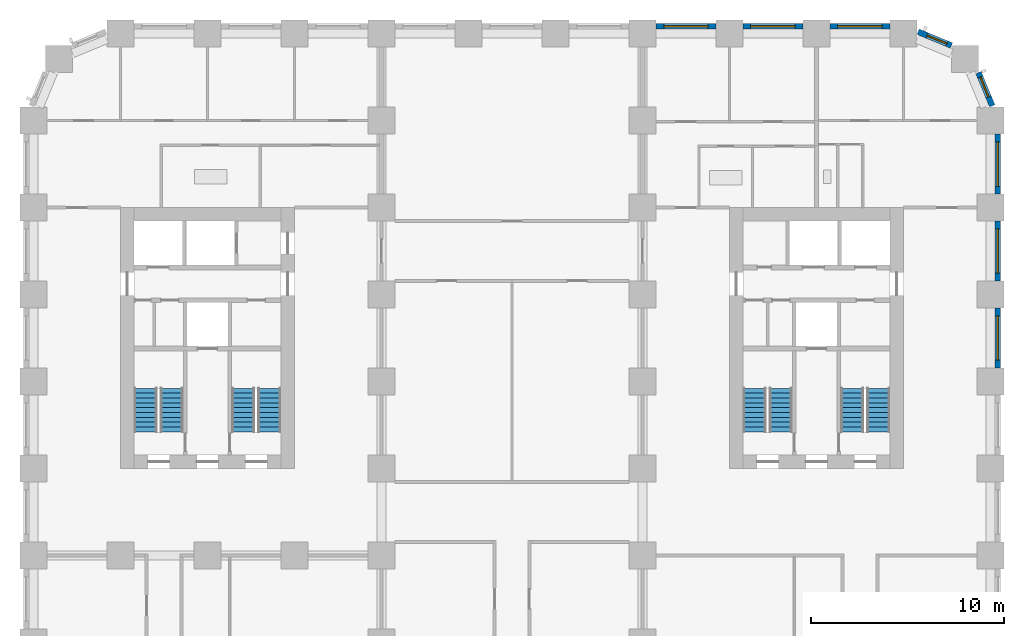
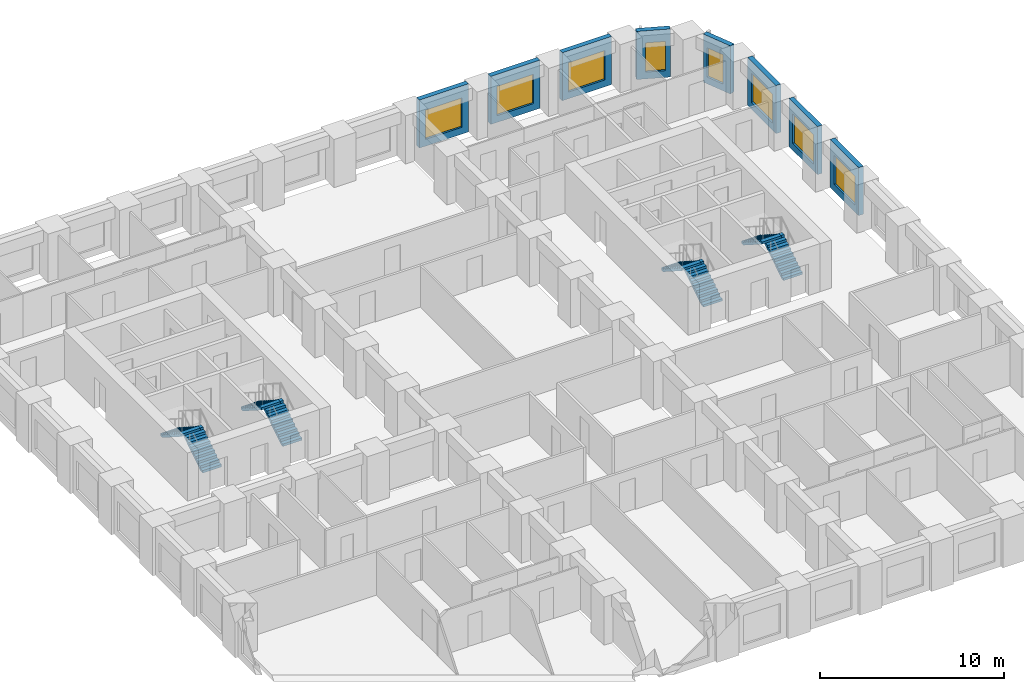
# One storey, part 9 of 12: 8 stair flights, 8 walls, 8 windows, 8 openings, 4 elements without a shape of their own.
"""IFC4 building model written with IfcOpenShell, lengths in metres."""

from ifc_helpers import new_model, si_unit, direction, frame, frame_2d, origin, place, context, subcontext, project, spatial, polyline, rectangle, outline, extrude, material, layer, layer_set, type_object, element, fill, aggregate, save


model = new_model("IFC4")

# Units and contexts
model_context = context("Model", 3, precision=1e-05, world=origin(), true_north=direction((0.0, 1.0)))
body_context = subcontext(model_context, "Body", "Model", "MODEL_VIEW")
ifc_project = project(units=[si_unit("LENGTHUNIT", "METRE"), si_unit("AREAUNIT", "SQUARE_METRE"), si_unit("VOLUMEUNIT", "CUBIC_METRE"), si_unit("PLANEANGLEUNIT", "RADIAN"), si_unit("MASSUNIT", "GRAM", prefix="KILO")], contexts=[model_context])

# Site, building, storey
site_placement = place(None, origin())
site = spatial("IfcSite", under=ifc_project, at=site_placement, CompositionType="ELEMENT")
building_placement = place(site_placement, origin())
building = spatial("IfcBuilding", under=site, at=building_placement, Name="Girih Gate Residences", CompositionType="ELEMENT")
storey_placement = place(building_placement, frame((0.0, 0.0, 33.60009765625)))
storey = spatial("IfcBuildingStorey", under=building, at=storey_placement, Name="L07", CompositionType="ELEMENT", Elevation=33.60009765625)

# Wall, opening, window
ifc_material_1 = material(Name="Precast concrete C50/60", Category="concrete")
ifc_layer_1 = layer(ifc_material_1, 0.080078125, Name="Outer leaf")
ifc_material_2 = material(Name="Rigid PIR insulation")
ifc_layer_2 = layer(ifc_material_2, 0.14990234375, Name="Insulation")
ifc_material_3 = material(Name="Precast concrete C40/50", Category="concrete")
ifc_layer_3 = layer(ifc_material_3, 0.070068359375, Name="Inner leaf")
ifc_layer_set = layer_set([ifc_layer_1, ifc_layer_2, ifc_layer_3], Name="Precast concrete C50/60 external wall 300")
wall_type = type_object("IfcWallType", Name="Precast concrete C50/60 external wall 300", PredefinedType="SOLIDWALL", material=ifc_layer_set)
wall_1_placement = place(storey_placement, frame((49.875, 35.300048828125, 0.0), z_axis=(0.0, 0.0, 1.0), x_axis=(0.0, -1.0, 0.0)))
wall_1 = element("IfcWall", 1, at=wall_1_placement, inside=storey, type_object=wall_type, Name="External wall E0495_0045.6", PredefinedType="SOLIDWALL", context=body_context, shape_type="SweptSolid", body=[
    extrude(rectangle(XDim=3.10009765625, YDim=0.300048828125, at=frame_2d((1.550048828125, 0.0))), origin(), (0.0, 0.0, 1.0), 3.199951171875),
])
opening_1_placement = place(wall_1_placement, frame((0.39990234375, 0.0, 0.449951171875)))
opening_1 = element("IfcOpeningElement", 2, at=opening_1_placement, cuts=wall_1, Name="Opening W-1", PredefinedType="OPENING", context=body_context, shape_type="SweptSolid", body=[
    extrude(rectangle(XDim=2.300048828125, YDim=1.949951171875, at=frame_2d((1.14990234375, 0.97509765625))), frame((0.0, 0.159912109375, 0.0), z_axis=(0.0, -1.0, 0.0), x_axis=(1.0, 0.0, 0.0)), (0.0, 0.0, 1.0), 0.320068359375),
])
ifc_material_4 = material(Name="Double glazing in aluminium frame", Category="aluminium")
window_type_1 = type_object("IfcWindowType", Name="Window W-1 2300x1950", PartitioningType="SINGLE_PANEL", PredefinedType="WINDOW", material=ifc_material_4)
window_1_placement = place(opening_1_placement, origin())
window_1 = element("IfcWindow", 3, at=window_1_placement, inside=storey, type_object=window_type_1, Name="Window W-1 E0495_0045.6", OverallHeight=1.949951171875, OverallWidth=2.300048828125, PartitioningType="SINGLE_PANEL", PredefinedType="WINDOW", context=body_context, shape_type="SweptSolid", body=[
    extrude(rectangle(XDim=2.300048828125, YDim=1.949951171875, at=frame_2d((1.14990234375, 0.97509765625))), frame((0.0, 0.030029296875, 0.0), z_axis=(0.0, -1.0, 0.0), x_axis=(1.0, 0.0, 0.0)), (0.0, 0.0, 1.0), 0.06005859375),
])
fill(opening_1, window_1)

wall_2_placement = place(storey_placement, frame((49.875, 39.800048828125, 0.0), z_axis=(0.0, 0.0, 1.0), x_axis=(0.0, -1.0, 0.0)))
wall_2 = element("IfcWall", 4, at=wall_2_placement, inside=storey, type_object=wall_type, Name="External wall E0495_0045.7", PredefinedType="SOLIDWALL", context=body_context, shape_type="SweptSolid", body=[
    extrude(rectangle(XDim=3.10009765625, YDim=0.300048828125, at=frame_2d((1.550048828125, 0.0))), origin(), (0.0, 0.0, 1.0), 3.199951171875),
])
opening_2_placement = place(wall_2_placement, frame((0.39990234375, 0.0, 0.449951171875)))
opening_2 = element("IfcOpeningElement", 5, at=opening_2_placement, cuts=wall_2, Name="Opening W-1", PredefinedType="OPENING", context=body_context, shape_type="SweptSolid", body=[
    extrude(rectangle(XDim=2.300048828125, YDim=1.949951171875, at=frame_2d((1.14990234375, 0.97509765625))), frame((0.0, 0.159912109375, 0.0), z_axis=(0.0, -1.0, 0.0), x_axis=(1.0, 0.0, 0.0)), (0.0, 0.0, 1.0), 0.320068359375),
])
window_2_placement = place(opening_2_placement, origin())
window_2 = element("IfcWindow", 6, at=window_2_placement, inside=storey, type_object=window_type_1, Name="Window W-1 E0495_0045.7", OverallHeight=1.949951171875, OverallWidth=2.300048828125, PartitioningType="SINGLE_PANEL", PredefinedType="WINDOW", context=body_context, shape_type="SweptSolid", body=[
    extrude(rectangle(XDim=2.300048828125, YDim=1.949951171875, at=frame_2d((1.14990234375, 0.97509765625))), frame((0.0, 0.030029296875, 0.0), z_axis=(0.0, -1.0, 0.0), x_axis=(1.0, 0.0, 0.0)), (0.0, 0.0, 1.0), 0.06005859375),
])
fill(opening_2, window_2)

wall_3_placement = place(storey_placement, frame((49.875, 44.300048828125, 0.0), z_axis=(0.0, 0.0, 1.0), x_axis=(0.0, -1.0, 0.0)))
wall_3 = element("IfcWall", 7, at=wall_3_placement, inside=storey, type_object=wall_type, Name="External wall E0495_0045.8", PredefinedType="SOLIDWALL", context=body_context, shape_type="SweptSolid", body=[
    extrude(rectangle(XDim=3.10009765625, YDim=0.300048828125, at=frame_2d((1.550048828125, 0.0))), origin(), (0.0, 0.0, 1.0), 3.199951171875),
])
opening_3_placement = place(wall_3_placement, frame((0.39990234375, 0.0, 0.449951171875)))
opening_3 = element("IfcOpeningElement", 8, at=opening_3_placement, cuts=wall_3, Name="Opening W-1", PredefinedType="OPENING", context=body_context, shape_type="SweptSolid", body=[
    extrude(rectangle(XDim=2.300048828125, YDim=1.949951171875, at=frame_2d((1.14990234375, 0.97509765625))), frame((0.0, 0.159912109375, 0.0), z_axis=(0.0, -1.0, 0.0), x_axis=(1.0, 0.0, 0.0)), (0.0, 0.0, 1.0), 0.320068359375),
])
window_3_placement = place(opening_3_placement, origin())
window_3 = element("IfcWindow", 9, at=window_3_placement, inside=storey, type_object=window_type_1, Name="Window W-1 E0495_0045.8", OverallHeight=1.949951171875, OverallWidth=2.300048828125, PartitioningType="SINGLE_PANEL", PredefinedType="WINDOW", context=body_context, shape_type="SweptSolid", body=[
    extrude(rectangle(XDim=2.300048828125, YDim=1.949951171875, at=frame_2d((1.14990234375, 0.97509765625))), frame((0.0, 0.030029296875, 0.0), z_axis=(0.0, -1.0, 0.0), x_axis=(1.0, 0.0, 0.0)), (0.0, 0.0, 1.0), 0.06005859375),
])
fill(opening_3, window_3)

wall_4_placement = place(storey_placement, frame((48.87841796875, 47.48046875, 0.0), z_axis=(0.0, 0.0, 1.0), x_axis=(0.38262540684, -0.923903565336, 0.0)))
wall_4 = element("IfcWall", 10, at=wall_4_placement, inside=storey, type_object=wall_type, Name="External wall NE0495_0450.0", PredefinedType="SOLIDWALL", context=body_context, shape_type="SweptSolid", body=[
    extrude(rectangle(XDim=1.864990234375, YDim=0.300048828125, at=frame_2d((0.9326171875, 0.0))), origin(), (0.0, 0.0, 1.0), 3.199951171875),
])
opening_4_placement = place(wall_4_placement, frame((0.257568359375, 0.0, 0.449951171875)))
opening_4 = element("IfcOpeningElement", 11, at=opening_4_placement, cuts=wall_4, Name="Opening W-2C", PredefinedType="OPENING", context=body_context, shape_type="SweptSolid", body=[
    extrude(rectangle(XDim=1.10009765625, YDim=1.949951171875, at=frame_2d((0.550048828125, 0.97509765625))), frame((0.0, 0.159912109375, 0.0), z_axis=(0.0, -1.0, 0.0), x_axis=(1.0, 0.0, 0.0)), (0.0, 0.0, 1.0), 0.320068359375),
])
window_type_2 = type_object("IfcWindowType", Name="Window W-2C 1100x1950", PartitioningType="SINGLE_PANEL", PredefinedType="WINDOW", material=ifc_material_4)
window_4_placement = place(opening_4_placement, origin())
window_4 = element("IfcWindow", 12, at=window_4_placement, inside=storey, type_object=window_type_2, Name="Window W-2C NE0495_0450.0", OverallHeight=1.949951171875, OverallWidth=1.10009765625, PartitioningType="SINGLE_PANEL", PredefinedType="WINDOW", context=body_context, shape_type="SweptSolid", body=[
    extrude(rectangle(XDim=1.10009765625, YDim=1.949951171875, at=frame_2d((0.550048828125, 0.97509765625))), frame((0.0, 0.030029296875, 0.0), z_axis=(0.0, -1.0, 0.0), x_axis=(1.0, 0.0, 0.0)), (0.0, 0.0, 1.0), 0.06005859375),
])
fill(opening_4, window_4)

wall_5_placement = place(storey_placement, frame((45.75732421875, 49.59228515625, 0.0), z_axis=(0.0, 0.0, 1.0), x_axis=(0.923857286003, -0.382737135771, 0.0)))
wall_5 = element("IfcWall", 13, at=wall_5_placement, inside=storey, type_object=wall_type, Name="External wall NE0482_0482.0", PredefinedType="SOLIDWALL", context=body_context, shape_type="SweptSolid", body=[
    extrude(rectangle(XDim=1.865234375, YDim=0.300048828125, at=frame_2d((0.9326171875, 0.0))), origin(), (0.0, 0.0, 1.0), 3.199951171875),
])
opening_5_placement = place(wall_5_placement, frame((0.507568359375, 0.0, 0.449951171875)))
opening_5 = element("IfcOpeningElement", 14, at=opening_5_placement, cuts=wall_5, Name="Opening W-2C", PredefinedType="OPENING", context=body_context, shape_type="SweptSolid", body=[
    extrude(rectangle(XDim=1.10009765625, YDim=1.949951171875, at=frame_2d((0.550048828125, 0.97509765625))), frame((0.0, 0.159912109375, 0.0), z_axis=(0.0, -1.0, 0.0), x_axis=(1.0, 0.0, 0.0)), (0.0, 0.0, 1.0), 0.320068359375),
])
window_5_placement = place(opening_5_placement, origin())
window_5 = element("IfcWindow", 15, at=window_5_placement, inside=storey, type_object=window_type_2, Name="Window W-2C NE0482_0482.0", OverallHeight=1.949951171875, OverallWidth=1.10009765625, PartitioningType="SINGLE_PANEL", PredefinedType="WINDOW", context=body_context, shape_type="SweptSolid", body=[
    extrude(rectangle(XDim=1.10009765625, YDim=1.949951171875, at=frame_2d((0.550048828125, 0.97509765625))), frame((0.0, 0.030029296875, 0.0), z_axis=(0.0, -1.0, 0.0), x_axis=(1.0, 0.0, 0.0)), (0.0, 0.0, 1.0), 0.06005859375),
])
fill(opening_5, window_5)

wall_6_placement = place(storey_placement, frame((41.199951171875, 49.875, 0.0), z_axis=(0.0, 0.0, 1.0), x_axis=(1.0, 0.0, 0.0)))
wall_6 = element("IfcWall", 16, at=wall_6_placement, inside=storey, type_object=wall_type, Name="External wall N0450_0495.0", PredefinedType="SOLIDWALL", context=body_context, shape_type="SweptSolid", body=[
    extrude(rectangle(XDim=3.10009765625, YDim=0.300048828125, at=frame_2d((1.550048828125, 0.0))), origin(), (0.0, 0.0, 1.0), 3.199951171875),
])
opening_6_placement = place(wall_6_placement, frame((0.39990234375, 0.0, 0.449951171875)))
opening_6 = element("IfcOpeningElement", 17, at=opening_6_placement, cuts=wall_6, Name="Opening W-1", PredefinedType="OPENING", context=body_context, shape_type="SweptSolid", body=[
    extrude(rectangle(XDim=2.300048828125, YDim=1.949951171875, at=frame_2d((1.14990234375, 0.97509765625))), frame((0.0, 0.159912109375, 0.0), z_axis=(0.0, -1.0, 0.0), x_axis=(1.0, 0.0, 0.0)), (0.0, 0.0, 1.0), 0.320068359375),
])
window_6_placement = place(opening_6_placement, origin())
window_6 = element("IfcWindow", 18, at=window_6_placement, inside=storey, type_object=window_type_1, Name="Window W-1 N0450_0495.0", OverallHeight=1.949951171875, OverallWidth=2.300048828125, PartitioningType="SINGLE_PANEL", PredefinedType="WINDOW", context=body_context, shape_type="SweptSolid", body=[
    extrude(rectangle(XDim=2.300048828125, YDim=1.949951171875, at=frame_2d((1.14990234375, 0.97509765625))), frame((0.0, 0.030029296875, 0.0), z_axis=(0.0, -1.0, 0.0), x_axis=(1.0, 0.0, 0.0)), (0.0, 0.0, 1.0), 0.06005859375),
])
fill(opening_6, window_6)

wall_7_placement = place(storey_placement, frame((36.699951171875, 49.875, 0.0), z_axis=(0.0, 0.0, 1.0), x_axis=(1.0, 0.0, 0.0)))
wall_7 = element("IfcWall", 19, at=wall_7_placement, inside=storey, type_object=wall_type, Name="External wall N0450_0495.1", PredefinedType="SOLIDWALL", context=body_context, shape_type="SweptSolid", body=[
    extrude(rectangle(XDim=3.10009765625, YDim=0.300048828125, at=frame_2d((1.550048828125, 0.0))), origin(), (0.0, 0.0, 1.0), 3.199951171875),
])
opening_7_placement = place(wall_7_placement, frame((0.39990234375, 0.0, 0.449951171875)))
opening_7 = element("IfcOpeningElement", 20, at=opening_7_placement, cuts=wall_7, Name="Opening W-1", PredefinedType="OPENING", context=body_context, shape_type="SweptSolid", body=[
    extrude(rectangle(XDim=2.300048828125, YDim=1.949951171875, at=frame_2d((1.14990234375, 0.97509765625))), frame((0.0, 0.159912109375, 0.0), z_axis=(0.0, -1.0, 0.0), x_axis=(1.0, 0.0, 0.0)), (0.0, 0.0, 1.0), 0.320068359375),
])
window_7_placement = place(opening_7_placement, origin())
window_7 = element("IfcWindow", 21, at=window_7_placement, inside=storey, type_object=window_type_1, Name="Window W-1 N0450_0495.1", OverallHeight=1.949951171875, OverallWidth=2.300048828125, PartitioningType="SINGLE_PANEL", PredefinedType="WINDOW", context=body_context, shape_type="SweptSolid", body=[
    extrude(rectangle(XDim=2.300048828125, YDim=1.949951171875, at=frame_2d((1.14990234375, 0.97509765625))), frame((0.0, 0.030029296875, 0.0), z_axis=(0.0, -1.0, 0.0), x_axis=(1.0, 0.0, 0.0)), (0.0, 0.0, 1.0), 0.06005859375),
])
fill(opening_7, window_7)

wall_8_placement = place(storey_placement, frame((32.199951171875, 49.875, 0.0), z_axis=(0.0, 0.0, 1.0), x_axis=(1.0, 0.0, 0.0)))
wall_8 = element("IfcWall", 22, at=wall_8_placement, inside=storey, type_object=wall_type, Name="External wall N0450_0495.2", PredefinedType="SOLIDWALL", context=body_context, shape_type="SweptSolid", body=[
    extrude(rectangle(XDim=3.10009765625, YDim=0.300048828125, at=frame_2d((1.550048828125, 0.0))), origin(), (0.0, 0.0, 1.0), 3.199951171875),
])
opening_8_placement = place(wall_8_placement, frame((0.39990234375, 0.0, 0.449951171875)))
opening_8 = element("IfcOpeningElement", 23, at=opening_8_placement, cuts=wall_8, Name="Opening W-1", PredefinedType="OPENING", context=body_context, shape_type="SweptSolid", body=[
    extrude(rectangle(XDim=2.300048828125, YDim=1.949951171875, at=frame_2d((1.14990234375, 0.97509765625))), frame((0.0, 0.159912109375, 0.0), z_axis=(0.0, -1.0, 0.0), x_axis=(1.0, 0.0, 0.0)), (0.0, 0.0, 1.0), 0.320068359375),
])
window_8_placement = place(opening_8_placement, origin())
window_8 = element("IfcWindow", 24, at=window_8_placement, inside=storey, type_object=window_type_1, Name="Window W-1 N0450_0495.2", OverallHeight=1.949951171875, OverallWidth=2.300048828125, PartitioningType="SINGLE_PANEL", PredefinedType="WINDOW", context=body_context, shape_type="SweptSolid", body=[
    extrude(rectangle(XDim=2.300048828125, YDim=1.949951171875, at=frame_2d((1.14990234375, 0.97509765625))), frame((0.0, 0.030029296875, 0.0), z_axis=(0.0, -1.0, 0.0), x_axis=(1.0, 0.0, 0.0)), (0.0, 0.0, 1.0), 0.06005859375),
])
fill(opening_8, window_8)

# Stair, stair flights
ifc_material_5 = material(Name="Concrete C40/50", Category="concrete")
stair_type = type_object("IfcStairType", Name="Exit stair", PredefinedType="HALF_TURN_STAIR", material=ifc_material_5)
stair_1_placement = place(storey_placement, origin())
stair_1 = element("IfcStair", 25, at=stair_1_placement, inside=storey, type_object=stair_type, Name="L07 Exit Stair ST-W1", PredefinedType="HALF_TURN_STAIR")
stair_flight_type = type_object("IfcStairFlightType", Name="Stair flight 1200", PredefinedType="STRAIGHT", material=ifc_material_5)
stair_flight_1_placement = place(storey_placement, frame((7.14990234375, 28.89990234375, 0.0), z_axis=(0.0, 0.0, 1.0), x_axis=(0.0, 1.0, 0.0)))
stair_flight_1 = element("IfcStairFlight", 26, at=stair_flight_1_placement, type_object=stair_flight_type, Name="ST-W1 flight 1", NumberOfRisers=10, NumberOfTreads=9, PredefinedType="STRAIGHT", RiserHeight=0.16, TreadLength=0.25, context=body_context, shape_type="SweptSolid", body=[
    extrude(outline(polyline([(0.0, 0.0), (0.0, 0.159912109375), (0.25, 0.159912109375), (0.25, 0.320068359375), (0.5, 0.320068359375), (0.5, 0.47998046875), (0.75, 0.47998046875), (0.75, 0.639892578125), (1.0, 0.639892578125), (1.0, 0.800048828125), (1.25, 0.800048828125), (1.25, 0.9599609375), (1.5, 0.9599609375), (1.5, 1.1201171875), (1.75, 1.1201171875), (1.75, 1.280029296875), (2.0, 1.280029296875), (2.0, 1.43994140625), (2.25, 1.43994140625), (2.25, 1.60009765625), (2.25, 1.29736328125), (0.222900390625, 0.0), (0.0, 0.0)])), frame((0.0, 0.60009765625, 0.0), z_axis=(0.0, -1.0, 0.0), x_axis=(1.0, 0.0, 0.0)), (0.0, 0.0, 1.0), 1.199951171875),
])
stair_flight_2_placement = place(storey_placement, frame((5.800048828125, 31.14990234375, 1.599853515625), z_axis=(0.0, 0.0, 1.0), x_axis=(0.0, -1.0, 0.0)))
stair_flight_2 = element("IfcStairFlight", 27, at=stair_flight_2_placement, type_object=stair_flight_type, Name="ST-W1 flight 2", NumberOfRisers=10, NumberOfTreads=9, PredefinedType="STRAIGHT", RiserHeight=0.16, TreadLength=0.25, context=body_context, shape_type="SweptSolid", body=[
    extrude(outline(polyline([(0.0, 0.0), (0.0, 0.159912109375), (0.25, 0.159912109375), (0.25, 0.320068359375), (0.5, 0.320068359375), (0.5, 0.47998046875), (0.75, 0.47998046875), (0.75, 0.639892578125), (1.0, 0.639892578125), (1.0, 0.800048828125), (1.25, 0.800048828125), (1.25, 0.9599609375), (1.5, 0.9599609375), (1.5, 1.1201171875), (1.75, 1.1201171875), (1.75, 1.280029296875), (2.0, 1.280029296875), (2.0, 1.43994140625), (2.25, 1.43994140625), (2.25, 1.60009765625), (2.25, 1.29736328125), (0.222900390625, 0.0), (0.0, 0.0)])), frame((0.0, 0.60009765625, 0.0), z_axis=(0.0, -1.0, 0.0), x_axis=(1.0, 0.0, 0.0)), (0.0, 0.0, 1.0), 1.199951171875),
])
aggregate(stair_1, [stair_flight_1, stair_flight_2])

stair_2_placement = place(storey_placement, origin())
stair_2 = element("IfcStair", 28, at=stair_2_placement, inside=storey, type_object=stair_type, Name="L07 Exit Stair ST-W2", PredefinedType="HALF_TURN_STAIR")
stair_flight_3_placement = place(storey_placement, frame((12.199951171875, 28.89990234375, 0.0), z_axis=(0.0, 0.0, 1.0), x_axis=(0.0, 1.0, 0.0)))
stair_flight_3 = element("IfcStairFlight", 29, at=stair_flight_3_placement, type_object=stair_flight_type, Name="ST-W2 flight 1", NumberOfRisers=10, NumberOfTreads=9, PredefinedType="STRAIGHT", RiserHeight=0.16, TreadLength=0.25, context=body_context, shape_type="SweptSolid", body=[
    extrude(outline(polyline([(0.0, 0.0), (0.0, 0.159912109375), (0.25, 0.159912109375), (0.25, 0.320068359375), (0.5, 0.320068359375), (0.5, 0.47998046875), (0.75, 0.47998046875), (0.75, 0.639892578125), (1.0, 0.639892578125), (1.0, 0.800048828125), (1.25, 0.800048828125), (1.25, 0.9599609375), (1.5, 0.9599609375), (1.5, 1.1201171875), (1.75, 1.1201171875), (1.75, 1.280029296875), (2.0, 1.280029296875), (2.0, 1.43994140625), (2.25, 1.43994140625), (2.25, 1.60009765625), (2.25, 1.29736328125), (0.222900390625, 0.0), (0.0, 0.0)])), frame((0.0, 0.60009765625, 0.0), z_axis=(0.0, -1.0, 0.0), x_axis=(1.0, 0.0, 0.0)), (0.0, 0.0, 1.0), 1.199951171875),
])
stair_flight_4_placement = place(storey_placement, frame((10.85009765625, 31.14990234375, 1.599853515625), z_axis=(0.0, 0.0, 1.0), x_axis=(0.0, -1.0, 0.0)))
stair_flight_4 = element("IfcStairFlight", 30, at=stair_flight_4_placement, type_object=stair_flight_type, Name="ST-W2 flight 2", NumberOfRisers=10, NumberOfTreads=9, PredefinedType="STRAIGHT", RiserHeight=0.16, TreadLength=0.25, context=body_context, shape_type="SweptSolid", body=[
    extrude(outline(polyline([(0.0, 0.0), (0.0, 0.159912109375), (0.25, 0.159912109375), (0.25, 0.320068359375), (0.5, 0.320068359375), (0.5, 0.47998046875), (0.75, 0.47998046875), (0.75, 0.639892578125), (1.0, 0.639892578125), (1.0, 0.800048828125), (1.25, 0.800048828125), (1.25, 0.9599609375), (1.5, 0.9599609375), (1.5, 1.1201171875), (1.75, 1.1201171875), (1.75, 1.280029296875), (2.0, 1.280029296875), (2.0, 1.43994140625), (2.25, 1.43994140625), (2.25, 1.60009765625), (2.25, 1.29736328125), (0.222900390625, 0.0), (0.0, 0.0)])), frame((0.0, 0.60009765625, 0.0), z_axis=(0.0, -1.0, 0.0), x_axis=(1.0, 0.0, 0.0)), (0.0, 0.0, 1.0), 1.199951171875),
])
aggregate(stair_2, [stair_flight_3, stair_flight_4])

stair_3_placement = place(storey_placement, origin())
stair_3 = element("IfcStair", 31, at=stair_3_placement, inside=storey, type_object=stair_type, Name="L07 Exit Stair ST-E1", PredefinedType="HALF_TURN_STAIR")
stair_flight_5_placement = place(storey_placement, frame((43.699951171875, 28.89990234375, 0.0), z_axis=(0.0, 0.0, 1.0), x_axis=(0.0, 1.0, 0.0)))
stair_flight_5 = element("IfcStairFlight", 32, at=stair_flight_5_placement, type_object=stair_flight_type, Name="ST-E1 flight 1", NumberOfRisers=10, NumberOfTreads=9, PredefinedType="STRAIGHT", RiserHeight=0.16, TreadLength=0.25, context=body_context, shape_type="SweptSolid", body=[
    extrude(outline(polyline([(0.0, 0.0), (0.0, 0.159912109375), (0.25, 0.159912109375), (0.25, 0.320068359375), (0.5, 0.320068359375), (0.5, 0.47998046875), (0.75, 0.47998046875), (0.75, 0.639892578125), (1.0, 0.639892578125), (1.0, 0.800048828125), (1.25, 0.800048828125), (1.25, 0.9599609375), (1.5, 0.9599609375), (1.5, 1.1201171875), (1.75, 1.1201171875), (1.75, 1.280029296875), (2.0, 1.280029296875), (2.0, 1.43994140625), (2.25, 1.43994140625), (2.25, 1.60009765625), (2.25, 1.29736328125), (0.222900390625, 0.0), (0.0, 0.0)])), frame((0.0, 0.60009765625, 0.0), z_axis=(0.0, -1.0, 0.0), x_axis=(1.0, 0.0, 0.0)), (0.0, 0.0, 1.0), 1.199951171875),
])
stair_flight_6_placement = place(storey_placement, frame((42.35009765625, 31.14990234375, 1.599853515625), z_axis=(0.0, 0.0, 1.0), x_axis=(0.0, -1.0, 0.0)))
stair_flight_6 = element("IfcStairFlight", 33, at=stair_flight_6_placement, type_object=stair_flight_type, Name="ST-E1 flight 2", NumberOfRisers=10, NumberOfTreads=9, PredefinedType="STRAIGHT", RiserHeight=0.16, TreadLength=0.25, context=body_context, shape_type="SweptSolid", body=[
    extrude(outline(polyline([(0.0, 0.0), (0.0, 0.159912109375), (0.25, 0.159912109375), (0.25, 0.320068359375), (0.5, 0.320068359375), (0.5, 0.47998046875), (0.75, 0.47998046875), (0.75, 0.639892578125), (1.0, 0.639892578125), (1.0, 0.800048828125), (1.25, 0.800048828125), (1.25, 0.9599609375), (1.5, 0.9599609375), (1.5, 1.1201171875), (1.75, 1.1201171875), (1.75, 1.280029296875), (2.0, 1.280029296875), (2.0, 1.43994140625), (2.25, 1.43994140625), (2.25, 1.60009765625), (2.25, 1.29736328125), (0.222900390625, 0.0), (0.0, 0.0)])), frame((0.0, 0.60009765625, 0.0), z_axis=(0.0, -1.0, 0.0), x_axis=(1.0, 0.0, 0.0)), (0.0, 0.0, 1.0), 1.199951171875),
])
aggregate(stair_3, [stair_flight_5, stair_flight_6])

stair_4_placement = place(storey_placement, origin())
stair_4 = element("IfcStair", 34, at=stair_4_placement, inside=storey, type_object=stair_type, Name="L07 Exit Stair ST-E2", PredefinedType="HALF_TURN_STAIR")
stair_flight_7_placement = place(storey_placement, frame((38.64990234375, 28.89990234375, 0.0), z_axis=(0.0, 0.0, 1.0), x_axis=(0.0, 1.0, 0.0)))
stair_flight_7 = element("IfcStairFlight", 35, at=stair_flight_7_placement, type_object=stair_flight_type, Name="ST-E2 flight 1", NumberOfRisers=10, NumberOfTreads=9, PredefinedType="STRAIGHT", RiserHeight=0.16, TreadLength=0.25, context=body_context, shape_type="SweptSolid", body=[
    extrude(outline(polyline([(0.0, 0.0), (0.0, 0.159912109375), (0.25, 0.159912109375), (0.25, 0.320068359375), (0.5, 0.320068359375), (0.5, 0.47998046875), (0.75, 0.47998046875), (0.75, 0.639892578125), (1.0, 0.639892578125), (1.0, 0.800048828125), (1.25, 0.800048828125), (1.25, 0.9599609375), (1.5, 0.9599609375), (1.5, 1.1201171875), (1.75, 1.1201171875), (1.75, 1.280029296875), (2.0, 1.280029296875), (2.0, 1.43994140625), (2.25, 1.43994140625), (2.25, 1.60009765625), (2.25, 1.29736328125), (0.222900390625, 0.0), (0.0, 0.0)])), frame((0.0, 0.60009765625, 0.0), z_axis=(0.0, -1.0, 0.0), x_axis=(1.0, 0.0, 0.0)), (0.0, 0.0, 1.0), 1.199951171875),
])
stair_flight_8_placement = place(storey_placement, frame((37.300048828125, 31.14990234375, 1.599853515625), z_axis=(0.0, 0.0, 1.0), x_axis=(0.0, -1.0, 0.0)))
stair_flight_8 = element("IfcStairFlight", 36, at=stair_flight_8_placement, type_object=stair_flight_type, Name="ST-E2 flight 2", NumberOfRisers=10, NumberOfTreads=9, PredefinedType="STRAIGHT", RiserHeight=0.16, TreadLength=0.25, context=body_context, shape_type="SweptSolid", body=[
    extrude(outline(polyline([(0.0, 0.0), (0.0, 0.159912109375), (0.25, 0.159912109375), (0.25, 0.320068359375), (0.5, 0.320068359375), (0.5, 0.47998046875), (0.75, 0.47998046875), (0.75, 0.639892578125), (1.0, 0.639892578125), (1.0, 0.800048828125), (1.25, 0.800048828125), (1.25, 0.9599609375), (1.5, 0.9599609375), (1.5, 1.1201171875), (1.75, 1.1201171875), (1.75, 1.280029296875), (2.0, 1.280029296875), (2.0, 1.43994140625), (2.25, 1.43994140625), (2.25, 1.60009765625), (2.25, 1.29736328125), (0.222900390625, 0.0), (0.0, 0.0)])), frame((0.0, 0.60009765625, 0.0), z_axis=(0.0, -1.0, 0.0), x_axis=(1.0, 0.0, 0.0)), (0.0, 0.0, 1.0), 1.199951171875),
])
aggregate(stair_4, [stair_flight_7, stair_flight_8])

save(model, "model.ifc")
